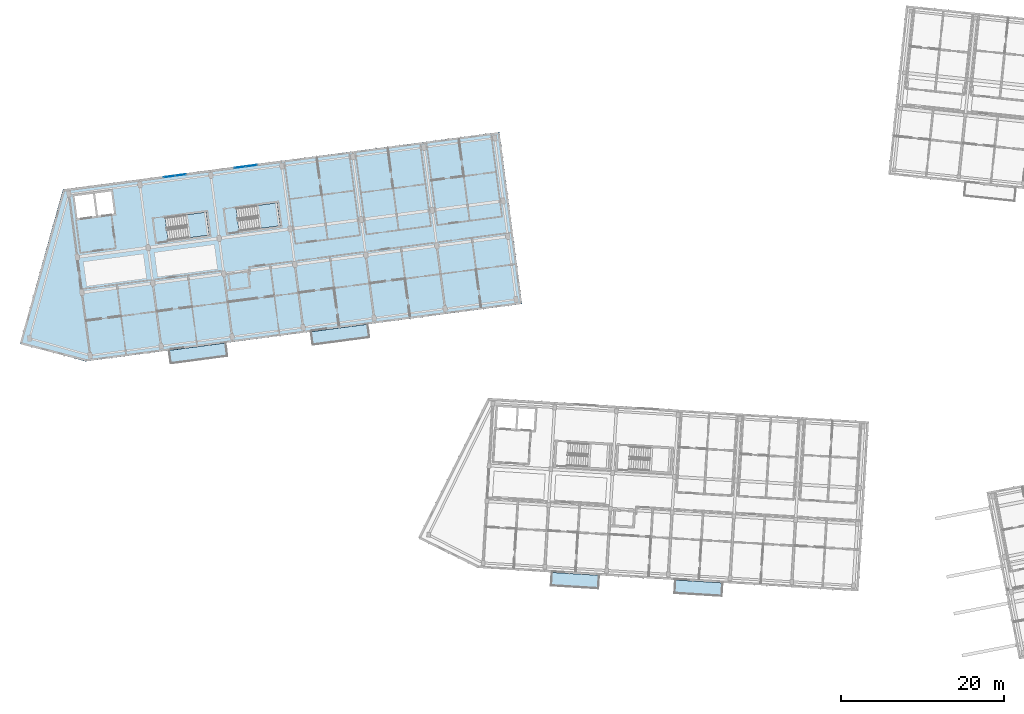
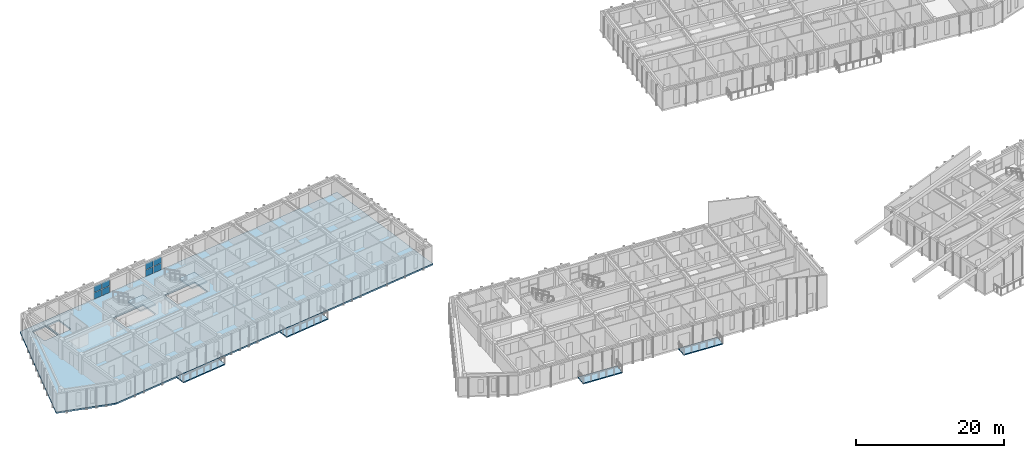
# One storey, part 17 of 64: 8 plates, 7 slabs, 4 elements without a shape of their own.
"""IFC4 building model written with IfcOpenShell, lengths in metres."""

from ifc_helpers import new_model, si_unit, direction, frame, origin, origin_2d, place, context, subcontext, project, spatial, polyline, rectangle, outline, extrude, material, layer, layer_set, type_object, element, aggregate, save


model = new_model("IFC4")

# Units and contexts
model_context = context("Model", 3, precision=1e-05, world=origin(), true_north=direction((0.0, 1.0)))
body_context = subcontext(model_context, "Body", "Model", "MODEL_VIEW")
ifc_project = project(units=[si_unit("LENGTHUNIT", "METRE"), si_unit("AREAUNIT", "SQUARE_METRE"), si_unit("VOLUMEUNIT", "CUBIC_METRE"), si_unit("PLANEANGLEUNIT", "RADIAN"), si_unit("MASSUNIT", "GRAM", prefix="KILO")], contexts=[model_context])

# Site, building, storey
site_placement = place(None, origin())
site = spatial("IfcSite", under=ifc_project, at=site_placement, CompositionType="ELEMENT")
building_placement = place(site_placement, origin())
building = spatial("IfcBuilding", under=site, at=building_placement, Name="Kestramere Prow Commons", CompositionType="ELEMENT")
storey_placement = place(building_placement, frame((0.0, 0.0, 24.64990234375)))
storey = spatial("IfcBuildingStorey", under=building, at=storey_placement, Name="L07", CompositionType="ELEMENT", Elevation=24.64990234375)

# Curtain wall, plates
ifc_material_1 = material(Name="Anodised Aluminium and Low-E Glass", Category="aluminium")
curtain_wall_type = type_object("IfcCurtainWallType", Name="CW-03 Glazed Curtain Wall 2830x2320", PredefinedType="USERDEFINED", material=ifc_material_1)
curtain_wall_1_placement = place(storey_placement, origin())
curtain_wall_1 = element("IfcCurtainWall", 1, at=curtain_wall_1_placement, inside=storey, type_object=curtain_wall_type, Name="Block A L07 Stairwell Vertical Glazing 2", ObjectType="GLAZED CURTAIN WALL", PredefinedType="USERDEFINED")
ifc_material_2 = material(Name="Low-E Laminated Double Glazing", Category="glass")
ifc_layer_1 = layer(ifc_material_2, 0.028076171875)
ifc_layer_set_1 = layer_set([ifc_layer_1], Name="Low-E Laminated Double Glazing")
plate_type = type_object("IfcPlateType", Name="CW-PNL-28", PredefinedType="CURTAIN_PANEL", material=ifc_layer_set_1)
plate_1_placement = place(storey_placement, frame((20.922607421875, 93.982177734375, 0.065185546875), z_axis=(0.0, 0.0, 1.0), x_axis=(0.991444867297, 0.13052614723, 0.0)))
plate_1 = element("IfcPlate", 2, at=plate_1_placement, type_object=plate_type, Name="CW-03 panel 1.1", PredefinedType="CURTAIN_PANEL", context=body_context, shape_type="SweptSolid", body=[
    extrude(rectangle(XDim=1.3173828125, YDim=0.028076171875, at=origin_2d()), origin(), (0.0, 0.0, 1.0), 1.0625),
])
plate_2_placement = place(storey_placement, frame((20.922607421875, 93.982177734375, 1.192626953125), z_axis=(0.0, 0.0, 1.0), x_axis=(0.991444867297, 0.13052614723, 0.0)))
plate_2 = element("IfcPlate", 3, at=plate_2_placement, type_object=plate_type, Name="CW-03 panel 1.2", PredefinedType="CURTAIN_PANEL", context=body_context, shape_type="SweptSolid", body=[
    extrude(rectangle(XDim=1.3173828125, YDim=0.028076171875, at=origin_2d()), origin(), (0.0, 0.0, 1.0), 1.0625),
])
plate_3_placement = place(storey_placement, frame((22.29345703125, 94.16259765625, 0.065185546875), z_axis=(0.0, 0.0, 1.0), x_axis=(0.991444867297, 0.13052614723, 0.0)))
plate_3 = element("IfcPlate", 4, at=plate_3_placement, type_object=plate_type, Name="CW-03 panel 2.1", PredefinedType="CURTAIN_PANEL", context=body_context, shape_type="SweptSolid", body=[
    extrude(rectangle(XDim=1.3173828125, YDim=0.028076171875, at=origin_2d()), origin(), (0.0, 0.0, 1.0), 1.0625),
])
plate_4_placement = place(storey_placement, frame((22.29345703125, 94.16259765625, 1.192626953125), z_axis=(0.0, 0.0, 1.0), x_axis=(0.991444867297, 0.13052614723, 0.0)))
plate_4 = element("IfcPlate", 5, at=plate_4_placement, type_object=plate_type, Name="CW-03 panel 2.2", PredefinedType="CURTAIN_PANEL", context=body_context, shape_type="SweptSolid", body=[
    extrude(rectangle(XDim=1.3173828125, YDim=0.028076171875, at=origin_2d()), origin(), (0.0, 0.0, 1.0), 1.0625),
])
aggregate(curtain_wall_1, [plate_1, plate_2, plate_3, plate_4])

curtain_wall_2_placement = place(storey_placement, origin())
curtain_wall_2 = element("IfcCurtainWall", 6, at=curtain_wall_2_placement, inside=storey, type_object=curtain_wall_type, Name="Block A L07 Stairwell Vertical Glazing 3", ObjectType="GLAZED CURTAIN WALL", PredefinedType="USERDEFINED")
plate_5_placement = place(storey_placement, frame((29.6474609375, 95.130859375, 0.065185546875), z_axis=(0.0, 0.0, 1.0), x_axis=(0.991444821571, 0.130526494555, 0.0)))
plate_5 = element("IfcPlate", 7, at=plate_5_placement, type_object=plate_type, Name="CW-03 panel 1.1", PredefinedType="CURTAIN_PANEL", context=body_context, shape_type="SweptSolid", body=[
    extrude(rectangle(XDim=1.3173828125, YDim=0.028076171875, at=origin_2d()), origin(), (0.0, 0.0, 1.0), 1.0625),
])
plate_6_placement = place(storey_placement, frame((29.6474609375, 95.130859375, 1.192626953125), z_axis=(0.0, 0.0, 1.0), x_axis=(0.991444821571, 0.130526494555, 0.0)))
plate_6 = element("IfcPlate", 8, at=plate_6_placement, type_object=plate_type, Name="CW-03 panel 1.2", PredefinedType="CURTAIN_PANEL", context=body_context, shape_type="SweptSolid", body=[
    extrude(rectangle(XDim=1.3173828125, YDim=0.028076171875, at=origin_2d()), origin(), (0.0, 0.0, 1.0), 1.0625),
])
plate_7_placement = place(storey_placement, frame((31.01806640625, 95.311279296875, 0.065185546875), z_axis=(0.0, 0.0, 1.0), x_axis=(0.991444821571, 0.130526494555, 0.0)))
plate_7 = element("IfcPlate", 9, at=plate_7_placement, type_object=plate_type, Name="CW-03 panel 2.1", PredefinedType="CURTAIN_PANEL", context=body_context, shape_type="SweptSolid", body=[
    extrude(rectangle(XDim=1.3173828125, YDim=0.028076171875, at=origin_2d()), origin(), (0.0, 0.0, 1.0), 1.0625),
])
plate_8_placement = place(storey_placement, frame((31.01806640625, 95.311279296875, 1.192626953125), z_axis=(0.0, 0.0, 1.0), x_axis=(0.991444821571, 0.130526494555, 0.0)))
plate_8 = element("IfcPlate", 10, at=plate_8_placement, type_object=plate_type, Name="CW-03 panel 2.2", PredefinedType="CURTAIN_PANEL", context=body_context, shape_type="SweptSolid", body=[
    extrude(rectangle(XDim=1.3173828125, YDim=0.028076171875, at=origin_2d()), origin(), (0.0, 0.0, 1.0), 1.0625),
])
aggregate(curtain_wall_2, [plate_5, plate_6, plate_7, plate_8])

# Slabs
ifc_material_3 = material(Name="Precast concrete C40/50", Category="concrete")
ifc_layer_2 = layer(ifc_material_3, 0.179931640625)
ifc_layer_set_2 = layer_set([ifc_layer_2], Name="Precast concrete C40/50")
slab_type_1 = type_object("IfcSlabType", Name="SL-BALC-180", PredefinedType="FLOOR", material=ifc_layer_set_2)
slab_1_placement = place(storey_placement, frame((0.0, 0.0, -0.179931640625)))
element("IfcSlab", 11, at=slab_1_placement, inside=storey, type_object=slab_type_1, Name="Block A L07 Apartment Balcony Slab 2", PredefinedType="FLOOR", context=body_context, shape_type="SweptSolid", body=[
    extrude(outline(polyline([(21.067626953125, 70.979248046875), (28.10693359375, 71.906005859375), (27.8916015625, 73.5419921875), (20.852294921875, 72.615234375), (21.067626953125, 70.979248046875)])), origin(), (0.0, 0.0, 1.0), 0.179931640625),
])
slab_2_placement = place(storey_placement, frame((0.0, 0.0, -0.179931640625)))
element("IfcSlab", 12, at=slab_2_placement, inside=storey, type_object=slab_type_1, Name="Block A L07 Apartment Balcony Slab 4", PredefinedType="FLOOR", context=body_context, shape_type="SweptSolid", body=[
    extrude(outline(polyline([(38.51708984375, 73.276611328125), (45.556396484375, 74.203369140625), (45.341064453125, 75.839111328125), (38.3017578125, 74.912353515625), (38.51708984375, 73.276611328125)])), origin(), (0.0, 0.0, 1.0), 0.179931640625),
])
slab_3_placement = place(storey_placement, frame((0.0, 0.0, -0.179931640625)))
element("IfcSlab", 13, at=slab_3_placement, inside=storey, type_object=slab_type_1, Name="Block C L07 Apartment Balcony Slab 2", PredefinedType="FLOOR", context=body_context, shape_type="SweptSolid", body=[
    extrude(outline(polyline([(67.7939453125, 43.6884765625), (73.682861328125, 43.328125), (73.783447265625, 44.97509765625), (67.89453125, 45.33544921875), (67.7939453125, 43.6884765625)])), origin(), (0.0, 0.0, 1.0), 0.179931640625),
])
slab_4_placement = place(storey_placement, frame((0.0, 0.0, -0.179931640625)))
element("IfcSlab", 14, at=slab_4_placement, inside=storey, type_object=slab_type_1, Name="Block C L07 Apartment Balcony Slab 4", PredefinedType="FLOOR", context=body_context, shape_type="SweptSolid", body=[
    extrude(outline(polyline([(82.965576171875, 42.760498046875), (88.8544921875, 42.400390625), (88.955322265625, 44.047119140625), (83.066162109375, 44.407470703125), (82.965576171875, 42.760498046875)])), origin(), (0.0, 0.0, 1.0), 0.179931640625),
])
ifc_layer_3 = layer(ifc_material_3, 0.25)
ifc_layer_set_3 = layer_set([ifc_layer_3], Name="Precast concrete C40/50")
slab_type_2 = type_object("IfcSlabType", Name="SL-HC-250", PredefinedType="FLOOR", material=ifc_layer_set_3)
slab_5_placement = place(storey_placement, frame((0.0, 0.0, -0.25)))
element("IfcSlab", 15, at=slab_5_placement, inside=storey, type_object=slab_type_2, Name="Block A L07 Hollowcore Floor Slab", PredefinedType="FLOOR", context=body_context, shape_type="SweptSolid", body=[
    extrude(outline(polyline([(2.58203125, 73.48779296875), (10.640380859375, 71.270751953125), (64.277587890625, 78.332275390625), (61.497314453125, 99.449951171875), (7.860107421875, 92.388427734375), (2.58203125, 73.48779296875)]), holes=[polyline([(9.638427734375, 88.84033203125), (11.9189453125, 89.140380859375), (11.559814453125, 91.866943359375), (9.279541015625, 91.566650390625), (9.638427734375, 88.84033203125)]), polyline([(12.166748046875, 89.173095703125), (14.149658203125, 89.43408203125), (13.790771484375, 92.16064453125), (11.807861328125, 91.899658203125), (12.166748046875, 89.173095703125)]), polyline([(20.78857421875, 86.122314453125), (25.844970703125, 86.7880859375), (25.47314453125, 89.61376953125), (20.416748046875, 88.947998046875), (20.78857421875, 86.122314453125)]), polyline([(29.513427734375, 87.27099609375), (34.56982421875, 87.936767578125), (34.19775390625, 90.76220703125), (29.141357421875, 90.0966796875), (29.513427734375, 87.27099609375)])]), origin(), (0.0, 0.0, 1.0), 0.25),
])

# Stair, slab
ifc_material_4 = material(Name="Concrete C40/50", Category="concrete")
stair_type = type_object("IfcStairType", Name="ST-DOG-1350", PredefinedType="HALF_TURN_STAIR", material=ifc_material_4)
stair_1_placement = place(storey_placement, origin())
stair_1 = element("IfcStair", 16, at=stair_1_placement, inside=storey, type_object=stair_type, Name="L07 Block A Exit Stair 1", PredefinedType="HALF_TURN_STAIR")
ifc_layer_4 = layer(ifc_material_4, 0.199951171875)
ifc_layer_set_4 = layer_set([ifc_layer_4], Name="Concrete C40/50")
slab_type_3 = type_object("IfcSlabType", Name="SL-ST-LAND-200", PredefinedType="LANDING", material=ifc_layer_set_4)
slab_6_placement = place(storey_placement, frame((0.0, 0.0, 1.425048828125)))
slab_6 = element("IfcSlab", 17, at=slab_6_placement, type_object=slab_type_3, Name="ST-A1 landing 1", PredefinedType="LANDING", context=body_context, shape_type="SweptSolid", body=[
    extrude(outline(polyline([(23.287109375, 86.451416015625), (25.844970703125, 86.7880859375), (25.47314453125, 89.61376953125), (22.9150390625, 89.27685546875), (23.287109375, 86.451416015625)])), origin(), (0.0, 0.0, 1.0), 0.199951171875),
])
aggregate(stair_1, [slab_6])

stair_2_placement = place(storey_placement, origin())
stair_2 = element("IfcStair", 18, at=stair_2_placement, inside=storey, type_object=stair_type, Name="L07 Block A Exit Stair 2", PredefinedType="HALF_TURN_STAIR")
slab_7_placement = place(storey_placement, frame((0.0, 0.0, 1.425048828125)))
slab_7 = element("IfcSlab", 19, at=slab_7_placement, type_object=slab_type_3, Name="ST-A2 landing 1", PredefinedType="LANDING", context=body_context, shape_type="SweptSolid", body=[
    extrude(outline(polyline([(32.011962890625, 87.599853515625), (34.56982421875, 87.936767578125), (34.19775390625, 90.76220703125), (31.639892578125, 90.425537109375), (32.011962890625, 87.599853515625)])), origin(), (0.0, 0.0, 1.0), 0.199951171875),
])
aggregate(stair_2, [slab_7])

save(model, "model.ifc")
